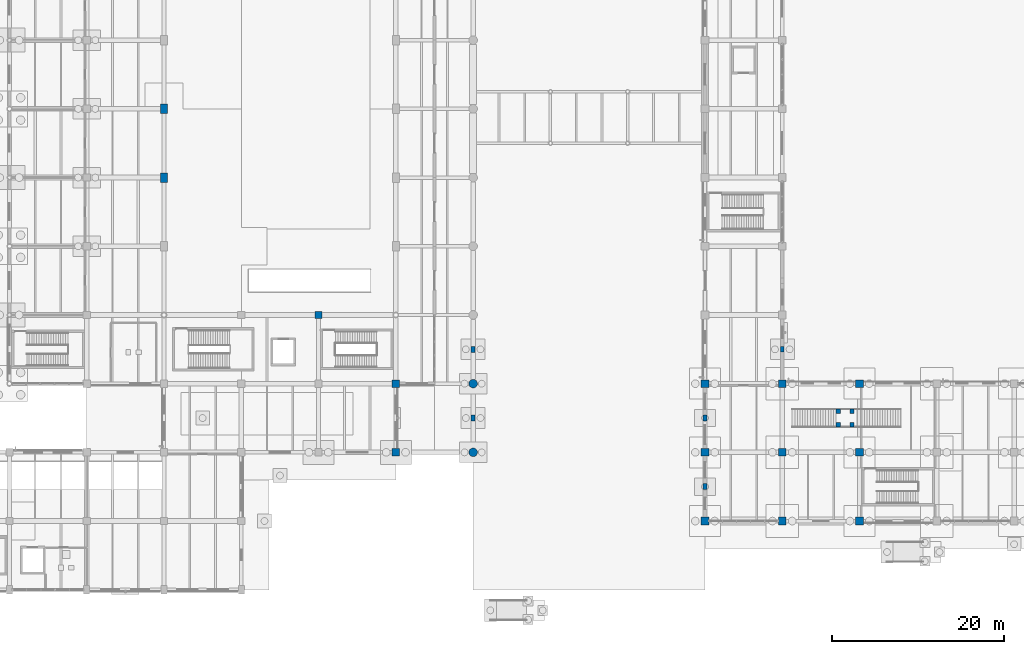
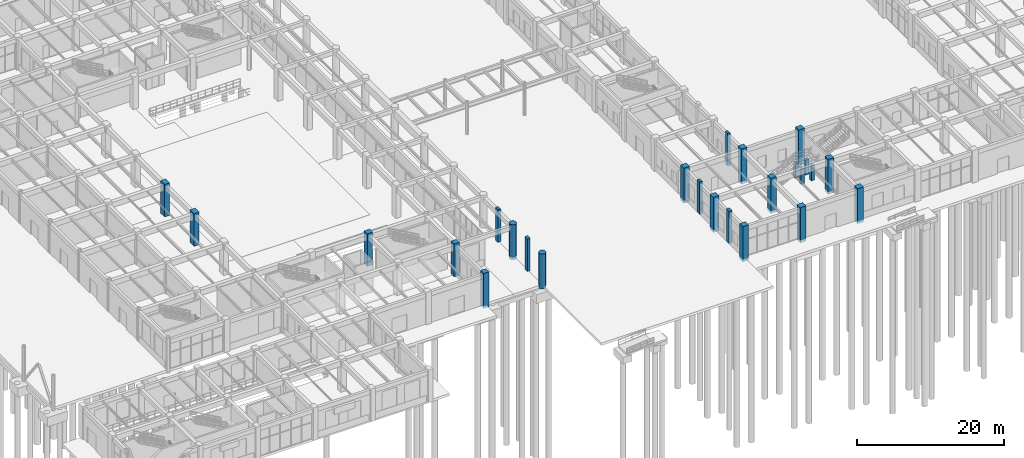
# One storey, part 9 of 121: 25 columns.
"""IFC4 building model written with IfcOpenShell, lengths in metres."""

from ifc_helpers import new_model, si_unit, derived_unit, direction, frame, origin, origin_2d, place, context, subcontext, project, spatial, rectangle, circle, extrude, material, material_profile, profile_set, type_object, element, save


model = new_model("IFC4")

# Units and contexts
model_context = context("Model", 3, precision=1e-05, world=origin(), true_north=direction((0.0, 1.0)))
body_context = subcontext(model_context, "Body", "Model", "MODEL_VIEW")
ifc_project = project(units=[si_unit("LENGTHUNIT", "METRE"), si_unit("AREAUNIT", "SQUARE_METRE"), si_unit("VOLUMEUNIT", "CUBIC_METRE"), si_unit("PLANEANGLEUNIT", "RADIAN"), si_unit("MASSUNIT", "GRAM", prefix="KILO"), derived_unit("THERMALTRANSMITTANCEUNIT", [(si_unit("MASSUNIT", "GRAM", prefix="KILO"), 1), (si_unit("TIMEUNIT", "SECOND"), -3), (si_unit("THERMODYNAMICTEMPERATUREUNIT", "KELVIN"), -1)])], contexts=[model_context])

# Site, building, storey
site_placement = place(None, origin())
site = spatial("IfcSite", under=ifc_project, at=site_placement, CompositionType="ELEMENT")
building_placement = place(site_placement, origin())
building = spatial("IfcBuilding", under=site, at=building_placement, Name="Zhenchuan Archway Interchange", CompositionType="ELEMENT")
storey_placement = place(building_placement, origin())
storey = spatial("IfcBuildingStorey", under=building, at=storey_placement, Name="L00", CompositionType="ELEMENT", Elevation=0.0)

# Columns
ifc_material_1 = material(Name="Concrete C40", Category="concrete")
ifc_material_profile_1 = material_profile(ifc_material_1, rectangle(XDim=0.5, YDim=0.5, at=origin_2d()), Name="RC 500x500")
ifc_profile_set_1 = profile_set([ifc_material_profile_1], Name="Concrete C40")
column_type_1 = type_object("IfcColumnType", Name="COL_RC_500_LND", PredefinedType="COLUMN", material=ifc_profile_set_1)
for number, where, z_axis, x_axis, name in (
    (1, (114.530029296875, 19.22509765625, 0.0), (0.0, 0.0, 1.0), (1.0, 0.0, 0.0), "Stair ST-P5 landing support column 1"),
    (2, (116.1298828125, 19.22509765625, 0.0), (0.0, 0.0, 1.0), (1.0, 0.0, 0.0), "Stair ST-P5 landing support column 2"),
    (3, (114.530029296875, 20.77490234375, 0.0), (0.0, 0.0, 1.0), (1.0, 0.0, 0.0), "Stair ST-P5 landing support column 3"),
    (4, (116.1298828125, 20.77490234375, 0.0), (0.0, 0.0, 1.0), (1.0, 0.0, 0.0), "Stair ST-P5 landing support column 4"),
):
    element("IfcColumn", number, at=place(storey_placement, frame(where, z_axis=z_axis, x_axis=x_axis)), inside=storey, type_object=column_type_1, Name=name, PredefinedType="COLUMN", context=body_context, shape_type="SweptSolid", body=[
        extrude(rectangle(XDim=0.5, YDim=0.5, at=origin_2d()), origin(), (0.0, 0.0, 1.0), 2.47998046875),
    ])
ifc_material_2 = material(Name="Concrete C50", Category="concrete")
ifc_material_profile_2 = material_profile(ifc_material_2, rectangle(XDim=0.800048828125, YDim=1.10009765625, at=origin_2d()), Name="RC 800x1100")
ifc_profile_set_2 = profile_set([ifc_material_profile_2], Name="Concrete C50")
column_type_2 = type_object("IfcColumnType", Name="COL_RC_800x1100", PredefinedType="COLUMN", material=ifc_profile_set_2)
for number, where, z_axis, x_axis, name in (
    (5, (36.0, 48.0, 0.0), (0.0, 0.0, 1.0), (1.0, 0.0, 0.0), "Column 5/G (L00)"),
    (6, (36.0, 56.0, 0.0), (0.0, 0.0, 1.0), (1.0, 0.0, 0.0), "Column 5/H (L00)"),
):
    element("IfcColumn", number, at=place(storey_placement, frame(where, z_axis=z_axis, x_axis=x_axis)), inside=storey, type_object=column_type_2, Name=name, PredefinedType="COLUMN", context=body_context, shape_type="SweptSolid", body=[
        extrude(rectangle(XDim=0.800048828125, YDim=1.10009765625, at=origin_2d()), origin(), (0.0, 0.0, 1.0), 5.39990234375),
    ])
ifc_material_profile_3 = material_profile(ifc_material_1, rectangle(XDim=0.85009765625, YDim=0.85009765625, at=origin_2d()), Name="RC 850x850")
ifc_profile_set_3 = profile_set([ifc_material_profile_3], Name="Concrete C40")
column_type_3 = type_object("IfcColumnType", Name="COL_RC_850", PredefinedType="COLUMN", material=ifc_profile_set_3)
column_1_placement = place(storey_placement, frame((54.0, 32.0, 0.0), z_axis=(0.0, 0.0, 1.0), x_axis=(1.0, 0.0, 0.0)))
element("IfcColumn", 7, at=column_1_placement, inside=storey, type_object=column_type_3, Name="Column 7/E (L00)", PredefinedType="COLUMN", context=body_context, shape_type="SweptSolid", body=[
    extrude(rectangle(XDim=0.85009765625, YDim=0.85009765625, at=origin_2d()), origin(), (0.0, 0.0, 1.0), 5.39990234375),
])
column_2_placement = place(storey_placement, frame((63.0, 16.0, -0.419921875), z_axis=(0.0, 0.0, 1.0), x_axis=(1.0, 0.0, 0.0)))
element("IfcColumn", 8, at=column_2_placement, inside=storey, type_object=column_type_3, Name="Column 8/C (L00)", PredefinedType="COLUMN", context=body_context, shape_type="SweptSolid", body=[
    extrude(rectangle(XDim=0.85009765625, YDim=0.85009765625, at=origin_2d()), origin(), (0.0, 0.0, 1.0), 5.81982421875),
])
column_3_placement = place(storey_placement, frame((63.0, 24.0, 0.0), z_axis=(0.0, 0.0, 1.0), x_axis=(1.0, 0.0, 0.0)))
element("IfcColumn", 9, at=column_3_placement, inside=storey, type_object=column_type_3, Name="Column 8/D (L00)", PredefinedType="COLUMN", context=body_context, shape_type="SweptSolid", body=[
    extrude(rectangle(XDim=0.85009765625, YDim=0.85009765625, at=origin_2d()), origin(), (0.0, 0.0, 1.0), 5.39990234375),
])
ifc_material_profile_4 = material_profile(ifc_material_2, rectangle(XDim=0.89990234375, YDim=0.89990234375, at=origin_2d()), Name="RC 900x900")
ifc_profile_set_4 = profile_set([ifc_material_profile_4], Name="Concrete C50")
column_type_4 = type_object("IfcColumnType", Name="COL_RC_900_T", PredefinedType="COLUMN", material=ifc_profile_set_4)
for number, where, z_axis, x_axis, name in (
    (10, (99.0, 8.0, -0.419921875), (0.0, 0.0, 1.0), (1.0, 0.0, 0.0), "Column 12/B (L00)"),
    (11, (99.0, 16.0, -0.419921875), (0.0, 0.0, 1.0), (1.0, 0.0, 0.0), "Column 12/C (L00)"),
    (12, (99.0, 24.0, -0.419921875), (0.0, 0.0, 1.0), (1.0, 0.0, 0.0), "Column 12/D (L00)"),
    (13, (108.0, 8.0, -0.419921875), (0.0, 0.0, 1.0), (1.0, 0.0, 0.0), "Column 13/B (L00)"),
    (14, (108.0, 16.0, -0.419921875), (0.0, 0.0, 1.0), (1.0, 0.0, 0.0), "Column 13/C (L00)"),
    (15, (108.0, 24.0, -0.419921875), (0.0, 0.0, 1.0), (1.0, 0.0, 0.0), "Column 13/D (L00)"),
    (16, (117.0, 8.0, -0.419921875), (0.0, 0.0, 1.0), (1.0, 0.0, 0.0), "Column 14/B (L00)"),
    (17, (117.0, 16.0, -0.419921875), (0.0, 0.0, 1.0), (1.0, 0.0, 0.0), "Column 14/C (L00)"),
    (18, (117.0, 24.0, -0.419921875), (0.0, 0.0, 1.0), (1.0, 0.0, 0.0), "Column 14/D (L00)"),
):
    element("IfcColumn", number, at=place(storey_placement, frame(where, z_axis=z_axis, x_axis=x_axis)), inside=storey, type_object=column_type_4, Name=name, PredefinedType="COLUMN", context=body_context, shape_type="SweptSolid", body=[
        extrude(rectangle(XDim=0.89990234375, YDim=0.89990234375, at=origin_2d()), origin(), (0.0, 0.0, 1.0), 5.81982421875),
    ])
ifc_material_profile_5 = material_profile(ifc_material_2, circle(Radius=0.5, at=origin_2d()), Name="RC D1000")
ifc_profile_set_5 = profile_set([ifc_material_profile_5], Name="Concrete C50")
column_type_5 = type_object("IfcColumnType", Name="COL_RC_D1000", PredefinedType="COLUMN", material=ifc_profile_set_5)
for number, where, z_axis, x_axis, name in (
    (19, (72.0, 16.0, -0.419921875), (0.0, 0.0, 1.0), (1.0, 0.0, 0.0), "Column 9/C (L00)"),
    (20, (72.0, 24.0, -0.419921875), (0.0, 0.0, 1.0), (1.0, 0.0, 0.0), "Column 9/D (L00)"),
):
    element("IfcColumn", number, at=place(storey_placement, frame(where, z_axis=z_axis, x_axis=x_axis)), inside=storey, type_object=column_type_5, Name=name, PredefinedType="COLUMN", context=body_context, shape_type="SweptSolid", body=[
        extrude(circle(Radius=0.5, at=origin_2d()), origin(), (0.0, 0.0, 1.0), 5.81982421875),
    ])
ifc_material_profile_6 = material_profile(ifc_material_1, rectangle(XDim=0.39990234375, YDim=0.64990234375, at=origin_2d()), Name="RC 400x650")
ifc_profile_set_6 = profile_set([ifc_material_profile_6], Name="Concrete C40")
column_type_6 = type_object("IfcColumnType", Name="PIL_COURT_400x650", PredefinedType="PILASTER", material=ifc_profile_set_6)
column_4_placement = place(storey_placement, frame((108.0, 28.0, 0.0), z_axis=(0.0, 0.0, 1.0), x_axis=(1.0, 0.0, 0.0)))
element("IfcColumn", 21, at=column_4_placement, inside=storey, type_object=column_type_6, Name="Colonnade pilaster CRT-W1 (L00)", PredefinedType="PILASTER", context=body_context, shape_type="SweptSolid", body=[
    extrude(rectangle(XDim=0.39990234375, YDim=0.64990234375, at=origin_2d()), origin(), (0.0, 0.0, 1.0), 5.39990234375),
])
ifc_material_profile_7 = material_profile(ifc_material_1, rectangle(XDim=0.449951171875, YDim=0.699951171875, at=origin_2d()), Name="RC 450x700")
ifc_profile_set_7 = profile_set([ifc_material_profile_7], Name="Concrete C40")
column_type_7 = type_object("IfcColumnType", Name="PIL_PASSAGE_450x700", PredefinedType="PILASTER", material=ifc_profile_set_7)
for number, where, z_axis, x_axis, name in (
    (22, (72.0, 20.0, 0.0), (0.0, 0.0, 1.0), (1.0, 0.0, 0.0), "Colonnade pilaster PAS-W1 (L00)"),
    (23, (72.0, 28.0, 0.0), (0.0, 0.0, 1.0), (1.0, 0.0, 0.0), "Colonnade pilaster PAS-W2 (L00)"),
    (24, (99.0, 12.0, 0.0), (0.0, 0.0, 1.0), (1.0, 0.0, 0.0), "Colonnade pilaster PAS-E1 (L00)"),
    (25, (99.0, 20.0, 0.0), (0.0, 0.0, 1.0), (1.0, 0.0, 0.0), "Colonnade pilaster PAS-E2 (L00)"),
):
    element("IfcColumn", number, at=place(storey_placement, frame(where, z_axis=z_axis, x_axis=x_axis)), inside=storey, type_object=column_type_7, Name=name, PredefinedType="PILASTER", context=body_context, shape_type="SweptSolid", body=[
        extrude(rectangle(XDim=0.449951171875, YDim=0.699951171875, at=origin_2d()), origin(), (0.0, 0.0, 1.0), 5.39990234375),
    ])

save(model, "model.ifc")
